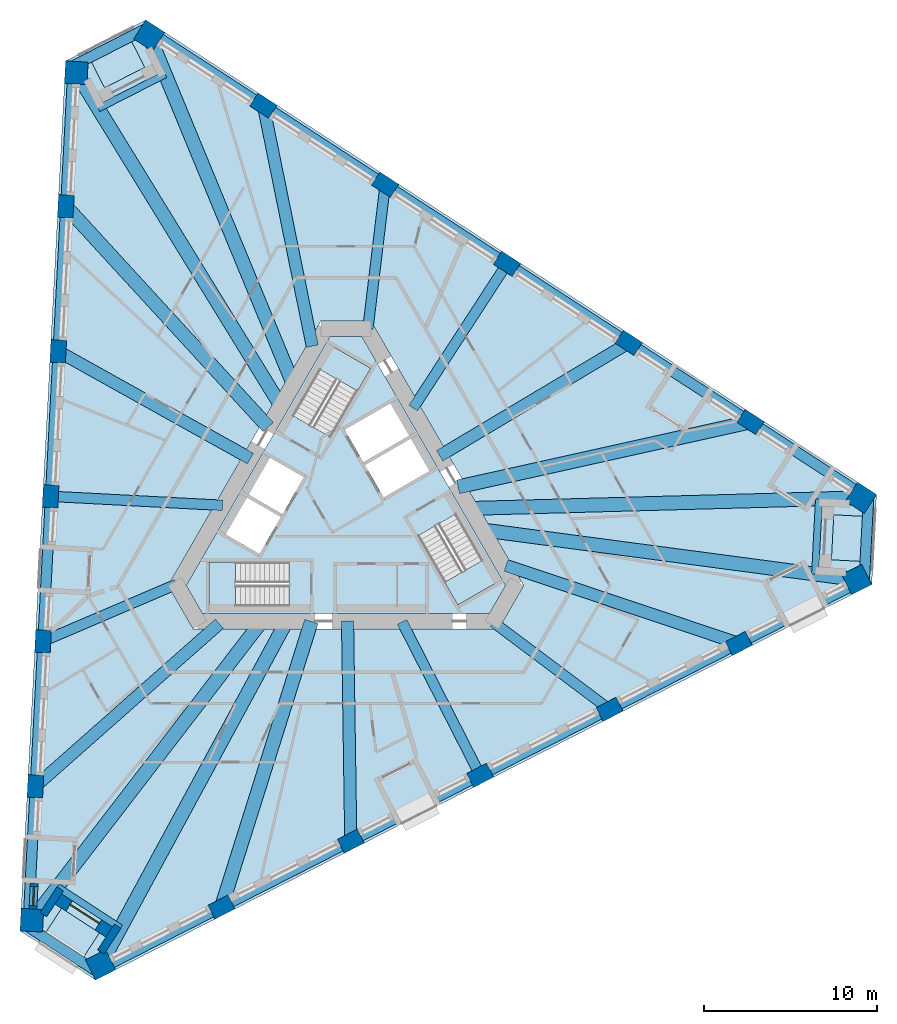
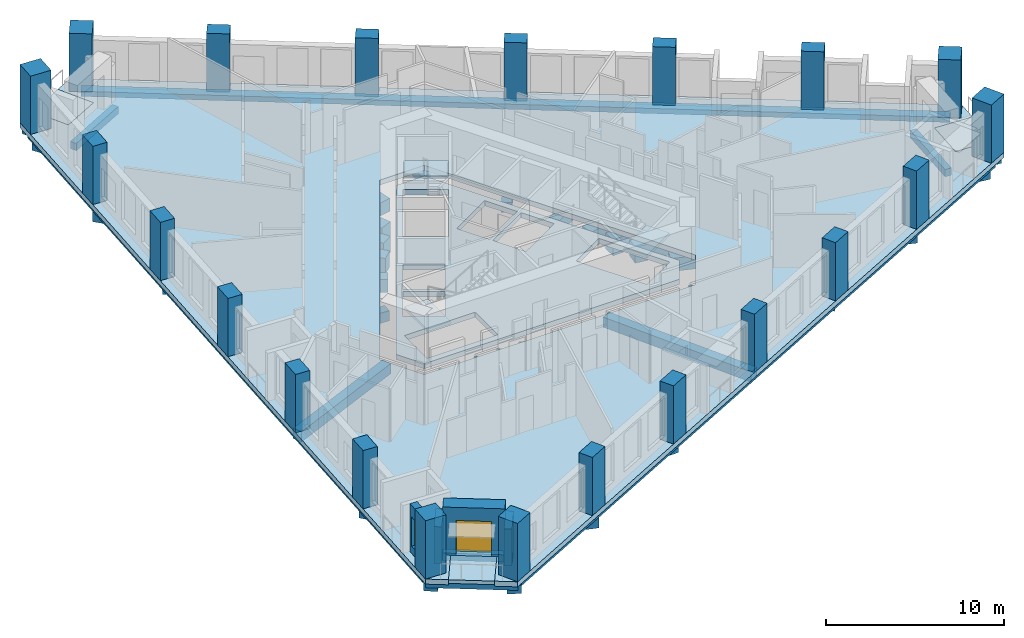
# One storey, part 1 of 13: 30 beams, 21 columns, 8 slabs, 4 walls, 1 door, 1 window, 2 openings, 3 elements without a shape of their own.
"""IFC4 building model written with IfcOpenShell, lengths in metres."""

from ifc_helpers import new_model, si_unit, direction, frame, frame_2d, origin, origin_2d, place, context, subcontext, project, spatial, polyline, rectangle, outline, extrude, material, layer, layer_set, material_profile, profile_set, type_object, element, fill, aggregate, save


model = new_model("IFC4")

# Units and contexts
model_context = context("Model", 3, precision=1e-05, world=origin(), true_north=direction((0.0, 1.0)))
body_context = subcontext(model_context, "Body", "Model", "MODEL_VIEW")
ifc_project = project(units=[si_unit("LENGTHUNIT", "METRE"), si_unit("AREAUNIT", "SQUARE_METRE"), si_unit("VOLUMEUNIT", "CUBIC_METRE"), si_unit("PLANEANGLEUNIT", "RADIAN"), si_unit("MASSUNIT", "GRAM", prefix="KILO")], contexts=[model_context])

# Site, building, storey
site_placement = place(None, origin())
site = spatial("IfcSite", under=ifc_project, at=site_placement, CompositionType="ELEMENT")
building_placement = place(site_placement, origin())
building = spatial("IfcBuilding", under=site, at=building_placement, Name="Tramontana Tower", CompositionType="ELEMENT")
storey_placement = place(building_placement, frame((0.0, 0.0, 137.60009765625)))
storey = spatial("IfcBuildingStorey", under=building, at=storey_placement, Name="L31", CompositionType="ELEMENT", Elevation=137.60009765625)

# Columns
ifc_material_1 = material(Name="Concrete 70 MPa", Category="concrete")
ifc_material_profile_1 = material_profile(ifc_material_1, rectangle(XDim=1.300048828125, YDim=1.300048828125, at=origin_2d()), Name="Mega column 1300X1300 70 MPa")
ifc_profile_set_1 = profile_set([ifc_material_profile_1], Name="Concrete 70 MPa")
column_type_1 = type_object("IfcColumnType", Name="Mega column 1300X1300 70 MPa", PredefinedType="COLUMN", material=ifc_profile_set_1)
for number, where, z_axis, x_axis, name in (
    (1, (-15.546630859375, 25.31298828125, 0.0), (0.0, 0.0, 1.0), (-0.052335956243, -0.998629534755, 0.0), "Mega column C3K1 L31"),
    (2, (-18.107177734375, -23.54931640625, 0.0), (0.0, 0.0, 1.0), (-0.052335956243, -0.998629534755, 0.0), "Mega column C3K2 L31"),
    (3, (-14.1484375, -26.1201171875, 0.0), (0.0, 0.0, 1.0), (0.891006524188, 0.45399049974, 0.0), "Mega column C3K3 L31"),
    (4, (29.447998046875, -3.90673828125, 0.0), (0.0, 0.0, 1.0), (0.891006524188, 0.45399049974, 0.0), "Mega column C3K4 L31"),
    (5, (29.695068359375, 0.80712890625, 0.0), (0.0, 0.0, 1.0), (-0.838670567945, 0.544639035015, 0.0), "Mega column C3K5 L31"),
    (6, (-11.340576171875, 27.4560546875, 0.0), (0.0, 0.0, 1.0), (-0.838670567945, 0.544639035015, 0.0), "Mega column C3K6 L31"),
):
    element("IfcColumn", number, at=place(storey_placement, frame(where, z_axis=z_axis, x_axis=x_axis)), inside=storey, type_object=column_type_1, Name=name, PredefinedType="COLUMN", context=body_context, shape_type="SweptSolid", body=[
        extrude(rectangle(XDim=1.300048828125, YDim=1.300048828125, at=origin_2d()), origin(), (0.0, 0.0, 1.0), 4.0),
    ])
ifc_material_2 = material(Name="Concrete 55 MPa", Category="concrete")
ifc_material_profile_2 = material_profile(ifc_material_2, rectangle(XDim=1.300048828125, YDim=0.89990234375, at=origin_2d()), Name="Pier column 1300X900 55 MPa")
ifc_profile_set_2 = profile_set([ifc_material_profile_2], Name="Concrete 55 MPa")
column_type_2 = type_object("IfcColumnType", Name="Pier column 1300X900 55 MPa", PredefinedType="COLUMN", material=ifc_profile_set_2)
for number, where, z_axis, x_axis, name in (
    (7, (-16.150390625, 17.612548828125, 0.0), (0.0, 0.0, 1.0), (-0.052335956243, -0.998629534755, 0.0), "Pier column C3F01 L31"),
    (8, (-16.58837890625, 9.25244140625, 0.0), (0.0, 0.0, 1.0), (-0.052335956243, -0.998629534755, 0.0), "Pier column C3F02 L31"),
    (9, (-17.026611328125, 0.892333984375, 0.0), (0.0, 0.0, 1.0), (-0.052335956243, -0.998629534755, 0.0), "Pier column C3F03 L31"),
    (10, (-17.46484375, -7.4677734375, 0.0), (0.0, 0.0, 1.0), (-0.052335956243, -0.998629534755, 0.0), "Pier column C3F04 L31"),
    (11, (-17.90283203125, -15.827880859375, 0.0), (0.0, 0.0, 1.0), (-0.052335956243, -0.998629534755, 0.0), "Pier column C3F05 L31"),
    (12, (-7.177734375, -22.79296875, 0.0), (0.0, 0.0, 1.0), (0.891006524188, 0.45399049974, 0.0), "Pier column C3F06 L31"),
    (13, (0.281494140625, -18.9921875, 0.0), (0.0, 0.0, 1.0), (0.891006524188, 0.45399049974, 0.0), "Pier column C3F07 L31"),
    (14, (7.740478515625, -15.191650390625, 0.0), (0.0, 0.0, 1.0), (0.891006524188, 0.45399049974, 0.0), "Pier column C3F08 L31"),
    (15, (15.19970703125, -11.39111328125, 0.0), (0.0, 0.0, 1.0), (0.891006524188, 0.45399049974, 0.0), "Pier column C3F09 L31"),
    (16, (22.65869140625, -7.59033203125, 0.0), (0.0, 0.0, 1.0), (0.891006524188, 0.45399049974, 0.0), "Pier column C3F10 L31"),
    (17, (23.328125, 5.180419921875, 0.0), (0.0, 0.0, 1.0), (-0.838670567945, 0.544639035015, 0.0), "Pier column C3F11 L31"),
    (18, (16.30712890625, 9.73974609375, 0.0), (0.0, 0.0, 1.0), (-0.838670567945, 0.544639035015, 0.0), "Pier column C3F12 L31"),
    (19, (9.2861328125, 14.29931640625, 0.0), (0.0, 0.0, 1.0), (-0.838670567945, 0.544639035015, 0.0), "Pier column C3F13 L31"),
    (20, (2.26513671875, 18.85888671875, 0.0), (0.0, 0.0, 1.0), (-0.838670567945, 0.544639035015, 0.0), "Pier column C3F14 L31"),
    (21, (-4.755859375, 23.418212890625, 0.0), (0.0, 0.0, 1.0), (-0.838670567945, 0.544639035015, 0.0), "Pier column C3F15 L31"),
):
    element("IfcColumn", number, at=place(storey_placement, frame(where, z_axis=z_axis, x_axis=x_axis)), inside=storey, type_object=column_type_2, Name=name, PredefinedType="COLUMN", context=body_context, shape_type="SweptSolid", body=[
        extrude(rectangle(XDim=1.300048828125, YDim=0.89990234375, at=origin_2d()), origin(), (0.0, 0.0, 1.0), 4.0),
    ])

# Beams
ifc_material_3 = material(Name="Concrete 40 MPa", Category="concrete")
ifc_material_profile_3 = material_profile(ifc_material_3, rectangle(XDim=0.60009765625, YDim=0.35009765625, at=origin_2d()), Name="RC EDGE BEAM 600X350 40 MPa")
ifc_profile_set_3 = profile_set([ifc_material_profile_3], Name="Concrete 40 MPa")
beam_type_1 = type_object("IfcBeamType", Name="RC EDGE BEAM 600X350 40 MPa", PredefinedType="SPANDREL", material=ifc_profile_set_3)
for number, where, z_axis, x_axis, name in (
    (22, (-15.74609375, 25.323486328125, -0.525146484375), (-0.052336488944, -0.998629506837, 0.0), (0.998629506837, -0.052336488944, 0.0), "Spandrel beam S0 L31"),
    (23, (-14.0576171875, -26.29833984375, -0.525146484375), (0.89100747088, 0.453988641748, 0.0), (-0.453988641748, 0.89100747088, 0.0), "Spandrel beam S1 L31"),
    (24, (29.803955078125, 0.974853515625, -0.525146484375), (-0.838669945923, 0.544639992844, 0.0), (-0.544639992844, -0.838669945923, 0.0), "Spandrel beam S2 L31"),
):
    element("IfcBeam", number, at=place(storey_placement, frame(where, z_axis=z_axis, x_axis=x_axis)), inside=storey, type_object=beam_type_1, Name=name, PredefinedType="SPANDREL", context=body_context, shape_type="SweptSolid", body=[
        extrude(rectangle(XDim=0.60009765625, YDim=0.35009765625, at=origin_2d()), origin(), (0.0, 0.0, 1.0), 48.929443359375),
    ])
for number, where, z_axis, x_axis, name in (
    (25, (-11.327392578125, 27.9541015625, -0.525146484375), (-0.891018699398, -0.453966603753, 0.0), (0.453966603753, -0.891018699398, 0.0), "Spandrel beam K0 L31"),
    (26, (-18.54541015625, -23.787109375, -0.525146484375), (0.838668969916, -0.544641495757, 0.0), (0.544641495757, 0.838668969916, 0.0), "Spandrel beam K1 L31"),
):
    element("IfcBeam", number, at=place(storey_placement, frame(where, z_axis=z_axis, x_axis=x_axis)), inside=storey, type_object=beam_type_1, Name=name, PredefinedType="SPANDREL", context=body_context, shape_type="SweptSolid", body=[
        extrude(rectangle(XDim=0.60009765625, YDim=0.35009765625, at=origin_2d()), origin(), (0.0, 0.0, 1.0), 5.1962890625),
    ])
beam_1_placement = place(storey_placement, frame((29.872802734375, -4.167236328125, -0.525146484375), z_axis=(0.052341816109, 0.998629227635, 0.0), x_axis=(-0.998629227635, 0.052341816109, 0.0)))
element("IfcBeam", 27, at=beam_1_placement, inside=storey, type_object=beam_type_1, Name="Spandrel beam K2 L31", PredefinedType="SPANDREL", context=body_context, shape_type="SweptSolid", body=[
    extrude(rectangle(XDim=0.60009765625, YDim=0.35009765625, at=origin_2d()), origin(), (0.0, 0.0, 1.0), 5.196044921875),
])
ifc_material_4 = material(Name="Concrete 40 MPa", Category="concrete")
ifc_material_profile_4 = material_profile(ifc_material_4, rectangle(XDim=0.60009765625, YDim=0.699951171875, at=origin_2d()), Name="RC GIRDER 600X700 40 MPa")
ifc_profile_set_4 = profile_set([ifc_material_profile_4], Name="Concrete 40 MPa")
beam_type_2 = type_object("IfcBeamType", Name="RC GIRDER 600X700 40 MPa", PredefinedType="BEAM", material=ifc_profile_set_4)
beam_2_placement = place(storey_placement, frame((-17.026611328125, 0.892333984375, -0.7001953125), z_axis=(0.998628816447, -0.052349660575, 0.0), x_axis=(0.052349660575, 0.998628816447, 0.0)))
element("IfcBeam", 28, at=beam_2_placement, inside=storey, type_object=beam_type_2, Name="Radial girder C3F03 L31", PredefinedType="BEAM", context=body_context, shape_type="SweptSolid", body=[
    extrude(rectangle(XDim=0.60009765625, YDim=0.699951171875, at=origin_2d()), origin(), (0.0, 0.0, 1.0), 9.92431640625),
])
beam_3_placement = place(storey_placement, frame((-17.46484375, -7.4677734375, -0.7001953125), z_axis=(0.919473795441, 0.393151293394, 0.0), x_axis=(-0.393151293394, 0.919473795441, 0.0)))
element("IfcBeam", 29, at=beam_3_placement, inside=storey, type_object=beam_type_2, Name="Radial girder C3F04 L31", PredefinedType="BEAM", context=body_context, shape_type="SweptSolid", body=[
    extrude(rectangle(XDim=0.60009765625, YDim=0.699951171875, at=origin_2d()), origin(), (0.0, 0.0, 1.0), 8.365234375),
])
beam_4_placement = place(storey_placement, frame((7.740478515625, -15.191650390625, -0.7001953125), z_axis=(-0.453980690523, 0.891011522166, 0.0), x_axis=(-0.891011522166, -0.453980690523, 0.0)))
element("IfcBeam", 30, at=beam_4_placement, inside=storey, type_object=beam_type_2, Name="Radial girder C3F08 L31", PredefinedType="BEAM", context=body_context, shape_type="SweptSolid", body=[
    extrude(rectangle(XDim=0.60009765625, YDim=0.699951171875, at=origin_2d()), origin(), (0.0, 0.0, 1.0), 9.924072265625),
])
beam_5_placement = place(storey_placement, frame((15.19970703125, -11.39111328125, -0.7001953125), z_axis=(-0.800213580839, 0.599715119904, 0.0), x_axis=(-0.599715119904, -0.800213580839, 0.0)))
element("IfcBeam", 31, at=beam_5_placement, inside=storey, type_object=beam_type_2, Name="Radial girder C3F09 L31", PredefinedType="BEAM", context=body_context, shape_type="SweptSolid", body=[
    extrude(rectangle(XDim=0.60009765625, YDim=0.699951171875, at=origin_2d()), origin(), (0.0, 0.0, 1.0), 8.365478515625),
])
beam_6_placement = place(storey_placement, frame((9.2861328125, 14.29931640625, -0.7001953125), z_axis=(-0.54464589271, -0.838666114466, 0.0), x_axis=(0.838666114466, -0.54464589271, 0.0)))
element("IfcBeam", 32, at=beam_6_placement, inside=storey, type_object=beam_type_2, Name="Radial girder C3F13 L31", PredefinedType="BEAM", context=body_context, shape_type="SweptSolid", body=[
    extrude(rectangle(XDim=0.60009765625, YDim=0.699951171875, at=origin_2d()), origin(), (0.0, 0.0, 1.0), 9.92431640625),
])
beam_7_placement = place(storey_placement, frame((2.26513671875, 18.85888671875, -0.7001953125), z_axis=(-0.119248793527, -0.992864404258, 0.0), x_axis=(0.992864404258, -0.119248793527, 0.0)))
element("IfcBeam", 33, at=beam_7_placement, inside=storey, type_object=beam_type_2, Name="Radial girder C3F14 L31", PredefinedType="BEAM", context=body_context, shape_type="SweptSolid", body=[
    extrude(rectangle(XDim=0.60009765625, YDim=0.699951171875, at=origin_2d()), origin(), (0.0, 0.0, 1.0), 8.365234375),
])
ifc_material_5 = material(Name="Concrete 40 MPa", Category="concrete")
ifc_material_profile_5 = material_profile(ifc_material_5, rectangle(XDim=0.699951171875, YDim=0.89990234375, at=origin_2d()), Name="RC GIRDER 700X900 40 MPa")
ifc_profile_set_5 = profile_set([ifc_material_profile_5], Name="Concrete 40 MPa")
beam_type_3 = type_object("IfcBeamType", Name="RC GIRDER 700X900 40 MPa", PredefinedType="BEAM", material=ifc_profile_set_5)
beam_8_placement = place(storey_placement, frame((-16.58837890625, 9.25244140625, -0.800048828125), z_axis=(0.873332247198, -0.487125020917, 0.0), x_axis=(0.487125020917, 0.873332247198, 0.0)))
element("IfcBeam", 34, at=beam_8_placement, inside=storey, type_object=beam_type_3, Name="Radial girder C3F02 L31", PredefinedType="BEAM", context=body_context, shape_type="SweptSolid", body=[
    extrude(rectangle(XDim=0.699951171875, YDim=0.89990234375, at=origin_2d()), origin(), (0.0, 0.0, 1.0), 12.693603515625),
])
beam_9_placement = place(storey_placement, frame((-17.90283203125, -15.827880859375, -0.800048828125), z_axis=(0.74918417634, 0.662361736456, 0.0), x_axis=(-0.662361736456, 0.74918417634, 0.0)))
element("IfcBeam", 35, at=beam_9_placement, inside=storey, type_object=beam_type_3, Name="Radial girder C3F05 L31", PredefinedType="BEAM", context=body_context, shape_type="SweptSolid", body=[
    extrude(rectangle(XDim=0.699951171875, YDim=0.89990234375, at=origin_2d()), origin(), (0.0, 0.0, 1.0), 14.1552734375),
])
beam_10_placement = place(storey_placement, frame((0.281494140625, -18.9921875, -0.800048828125), z_axis=(-0.014829000023, 0.999890044334, 0.0), x_axis=(-0.999890044334, -0.014829000023, 0.0)))
element("IfcBeam", 36, at=beam_10_placement, inside=storey, type_object=beam_type_3, Name="Radial girder C3F07 L31", PredefinedType="BEAM", context=body_context, shape_type="SweptSolid", body=[
    extrude(rectangle(XDim=0.699951171875, YDim=0.89990234375, at=origin_2d()), origin(), (0.0, 0.0, 1.0), 12.693603515625),
])
beam_11_placement = place(storey_placement, frame((22.65869140625, -7.59033203125, -0.800048828125), z_axis=(-0.948211400457, 0.317639953476, 0.0), x_axis=(-0.317639953476, -0.948211400457, 0.0)))
element("IfcBeam", 37, at=beam_11_placement, inside=storey, type_object=beam_type_3, Name="Radial girder C3F10 L31", PredefinedType="BEAM", context=body_context, shape_type="SweptSolid", body=[
    extrude(rectangle(XDim=0.699951171875, YDim=0.89990234375, at=origin_2d()), origin(), (0.0, 0.0, 1.0), 14.155517578125),
])
beam_12_placement = place(storey_placement, frame((16.30712890625, 9.73974609375, -0.800048828125), z_axis=(-0.858533155932, -0.512758052268, 0.0), x_axis=(0.512758052268, -0.858533155932, 0.0)))
element("IfcBeam", 38, at=beam_12_placement, inside=storey, type_object=beam_type_3, Name="Radial girder C3F12 L31", PredefinedType="BEAM", context=body_context, shape_type="SweptSolid", body=[
    extrude(rectangle(XDim=0.699951171875, YDim=0.89990234375, at=origin_2d()), origin(), (0.0, 0.0, 1.0), 12.693603515625),
])
beam_13_placement = place(storey_placement, frame((-4.755859375, 23.418212890625, -0.800048828125), z_axis=(0.199014115168, -0.979996623445, 0.0), x_axis=(0.979996623445, 0.199014115168, 0.0)))
element("IfcBeam", 39, at=beam_13_placement, inside=storey, type_object=beam_type_3, Name="Radial girder C3F15 L31", PredefinedType="BEAM", context=body_context, shape_type="SweptSolid", body=[
    extrude(rectangle(XDim=0.699951171875, YDim=0.89990234375, at=origin_2d()), origin(), (0.0, 0.0, 1.0), 14.155517578125),
])
ifc_material_6 = material(Name="Concrete 40 MPa", Category="concrete")
ifc_material_profile_6 = material_profile(ifc_material_6, rectangle(XDim=0.800048828125, YDim=1.10009765625, at=origin_2d()), Name="RC GIRDER 800X1100 40 MPa")
ifc_profile_set_6 = profile_set([ifc_material_profile_6], Name="Concrete 40 MPa")
beam_type_4 = type_object("IfcBeamType", Name="RC GIRDER 800X1100 40 MPa", PredefinedType="BEAM", material=ifc_profile_set_6)
beam_14_placement = place(storey_placement, frame((-15.54638671875, 25.31298828125, -0.900146484375), z_axis=(0.523345221795, -0.852120753664, 0.0), x_axis=(0.852120753664, 0.523345221795, 0.0)))
element("IfcBeam", 40, at=beam_14_placement, inside=storey, type_object=beam_type_4, Name="Radial girder C3K1 L31", PredefinedType="BEAM", context=body_context, shape_type="SweptSolid", body=[
    extrude(rectangle(XDim=0.800048828125, YDim=1.10009765625, at=origin_2d()), origin(), (0.0, 0.0, 1.0), 22.479248046875),
])
beam_15_placement = place(storey_placement, frame((-16.150390625, 17.612548828125, -0.900146484375), z_axis=(0.675852012308, -0.737037351469, 0.0), x_axis=(0.737037351469, 0.675852012308, 0.0)))
element("IfcBeam", 41, at=beam_15_placement, inside=storey, type_object=beam_type_4, Name="Radial girder C3F01 L31", PredefinedType="BEAM", context=body_context, shape_type="SweptSolid", body=[
    extrude(rectangle(XDim=0.800048828125, YDim=1.10009765625, at=origin_2d()), origin(), (0.0, 0.0, 1.0), 17.26953125),
])
beam_16_placement = place(storey_placement, frame((-18.107421875, -23.54931640625, -0.900146484375), z_axis=(0.609557551485, 0.792741818896, 0.0), x_axis=(-0.792741818896, 0.609557551485, 0.0)))
element("IfcBeam", 42, at=beam_16_placement, inside=storey, type_object=beam_type_4, Name="Radial girder C3K2 L31", PredefinedType="BEAM", context=body_context, shape_type="SweptSolid", body=[
    extrude(rectangle(XDim=0.800048828125, YDim=1.10009765625, at=origin_2d()), origin(), (0.0, 0.0, 1.0), 21.641357421875),
])
beam_17_placement = place(storey_placement, frame((-14.1484375, -26.1201171875, -0.900146484375), z_axis=(0.476284198163, 0.879291397991, 0.0), x_axis=(-0.879291397991, 0.476284198163, 0.0)))
element("IfcBeam", 43, at=beam_17_placement, inside=storey, type_object=beam_type_4, Name="Radial girder C3K3 L31", PredefinedType="BEAM", context=body_context, shape_type="SweptSolid", body=[
    extrude(rectangle(XDim=0.800048828125, YDim=1.10009765625, at=origin_2d()), origin(), (0.0, 0.0, 1.0), 22.479248046875),
])
beam_18_placement = place(storey_placement, frame((-7.177734375, -22.79296875, -0.900146484375), z_axis=(0.300368764095, 0.953823152139, 0.0), x_axis=(-0.953823152139, 0.300368764095, 0.0)))
element("IfcBeam", 44, at=beam_18_placement, inside=storey, type_object=beam_type_4, Name="Radial girder C3F06 L31", PredefinedType="BEAM", context=body_context, shape_type="SweptSolid", body=[
    extrude(rectangle(XDim=0.800048828125, YDim=1.10009765625, at=origin_2d()), origin(), (0.0, 0.0, 1.0), 17.26953125),
])
beam_19_placement = place(storey_placement, frame((29.447998046875, -3.90673828125, -0.900146484375), z_axis=(-0.991313997986, 0.131516376914, 0.0), x_axis=(-0.131516376914, -0.991313997986, 0.0)))
element("IfcBeam", 45, at=beam_19_placement, inside=storey, type_object=beam_type_4, Name="Radial girder C3K4 L31", PredefinedType="BEAM", context=body_context, shape_type="SweptSolid", body=[
    extrude(rectangle(XDim=0.800048828125, YDim=1.10009765625, at=origin_2d()), origin(), (0.0, 0.0, 1.0), 21.641357421875),
])
beam_20_placement = place(storey_placement, frame((29.695068359375, 0.80712890625, -0.900146484375), z_axis=(-0.999630732276, -0.027173499768, 0.0), x_axis=(0.027173499768, -0.999630732276, 0.0)))
element("IfcBeam", 46, at=beam_20_placement, inside=storey, type_object=beam_type_4, Name="Radial girder C3K5 L31", PredefinedType="BEAM", context=body_context, shape_type="SweptSolid", body=[
    extrude(rectangle(XDim=0.800048828125, YDim=1.10009765625, at=origin_2d()), origin(), (0.0, 0.0, 1.0), 22.479248046875),
])
beam_21_placement = place(storey_placement, frame((23.328125, 5.180419921875, -0.900146484375), z_axis=(-0.976217985391, -0.216791247516, 0.0), x_axis=(0.216791247516, -0.976217985391, 0.0)))
element("IfcBeam", 47, at=beam_21_placement, inside=storey, type_object=beam_type_4, Name="Radial girder C3F11 L31", PredefinedType="BEAM", context=body_context, shape_type="SweptSolid", body=[
    extrude(rectangle(XDim=0.800048828125, YDim=1.10009765625, at=origin_2d()), origin(), (0.0, 0.0, 1.0), 17.26953125),
])
beam_22_placement = place(storey_placement, frame((-11.3408203125, 27.4560546875, -0.900146484375), z_axis=(0.381767486968, -0.924258397795, 0.0), x_axis=(0.924258397795, 0.381767486968, 0.0)))
element("IfcBeam", 48, at=beam_22_placement, inside=storey, type_object=beam_type_4, Name="Radial girder C3K6 L31", PredefinedType="BEAM", context=body_context, shape_type="SweptSolid", body=[
    extrude(rectangle(XDim=0.800048828125, YDim=1.10009765625, at=origin_2d()), origin(), (0.0, 0.0, 1.0), 21.641357421875),
])
ifc_material_7 = material(Name="Concrete 40 MPa", Category="concrete")
ifc_material_profile_7 = material_profile(ifc_material_7, rectangle(XDim=0.39990234375, YDim=0.5, at=origin_2d()), Name="RC TRIM BEAM 400X500 40 MPa")
ifc_profile_set_7 = profile_set([ifc_material_profile_7], Name="Concrete 40 MPa")
beam_type_5 = type_object("IfcBeamType", Name="RC TRIM BEAM 400X500 40 MPa", PredefinedType="JOIST", material=ifc_profile_set_7)
for number, where, z_axis, x_axis, name in (
    (49, (-10.4169921875, 25.219482421875, -0.60009765625), (-0.891023167183, -0.453957834544, 0.0), (0.453957834544, -0.891023167183, 0.0), "Trimmer beam K0 L31"),
    (50, (-16.63232421875, -21.631103515625, -0.60009765625), (0.838651964019, -0.544667681479, 0.0), (0.544667681479, 0.838651964019, 0.0), "Trimmer beam K1 L31"),
    (51, (27.04931640625, -3.58837890625, -0.60009765625), (0.052310576439, 0.99863086453, 0.0), (-0.99863086453, 0.052310576439, 0.0), "Trimmer beam K2 L31"),
):
    element("IfcBeam", number, at=place(storey_placement, frame(where, z_axis=z_axis, x_axis=x_axis)), inside=storey, type_object=beam_type_5, Name=name, PredefinedType="JOIST", context=body_context, shape_type="SweptSolid", body=[
        extrude(rectangle(XDim=0.39990234375, YDim=0.5, at=origin_2d()), origin(), (0.0, 0.0, 1.0), 4.335693359375),
    ])

# Slabs
ifc_material_8 = material(Name="Precast concrete 50 MPa", Category="concrete")
ifc_layer_1 = layer(ifc_material_8, 0.25)
ifc_layer_set_1 = layer_set([ifc_layer_1], Name="LT1 Loggia floor tray 250")
slab_type_1 = type_object("IfcSlabType", Name="LT1 Loggia floor tray 250", PredefinedType="FLOOR", material=ifc_layer_set_1)
slab_1_placement = place(storey_placement, frame((0.0, 0.0, -0.25)))
element("IfcSlab", 52, at=slab_1_placement, inside=storey, type_object=slab_type_1, Name="Corner loggia floor L31 K30", PredefinedType="FLOOR", context=body_context, shape_type="SweptSolid", body=[
    extrude(outline(polyline([(-12.6884765625, 27.765869140625), (-11.598876953125, 25.62744140625), (-13.91552734375, 24.447021484375), (-15.005126953125, 26.58544921875), (-12.6884765625, 27.765869140625)])), origin(), (0.0, 0.0, 1.0), 0.25),
])
slab_2_placement = place(storey_placement, frame((0.0, 0.0, -0.25)))
element("IfcSlab", 53, at=slab_2_placement, inside=storey, type_object=slab_type_1, Name="Corner loggia floor L31 K31", PredefinedType="FLOOR", context=body_context, shape_type="SweptSolid", body=[
    extrude(outline(polyline([(-17.70166015625, -24.871337890625), (-16.39453125, -22.858642578125), (-14.214111328125, -24.274658203125), (-15.521240234375, -26.28759765625), (-17.70166015625, -24.871337890625)])), origin(), (0.0, 0.0, 1.0), 0.25),
])
slab_3_placement = place(storey_placement, frame((0.0, 0.0, -0.25)))
element("IfcSlab", 54, at=slab_3_placement, inside=storey, type_object=slab_type_1, Name="Corner loggia floor L31 K32", PredefinedType="FLOOR", context=body_context, shape_type="SweptSolid", body=[
    extrude(outline(polyline([(30.39013671875, -2.89453125), (27.993408203125, -2.768798828125), (28.129638671875, -0.17236328125), (30.526123046875, -0.298095703125), (30.39013671875, -2.89453125)])), origin(), (0.0, 0.0, 1.0), 0.25),
])
ifc_material_9 = material(Name="Concrete 40 MPa", Category="concrete")
ifc_layer_2 = layer(ifc_material_9, 0.35009765625)
ifc_layer_set_2 = layer_set([ifc_layer_2], Name="PT FLAT SLAB 350 40 MPa")
slab_type_2 = type_object("IfcSlabType", Name="PT FLAT SLAB 350 40 MPa", PredefinedType="FLOOR", material=ifc_layer_set_2)
slab_4_placement = place(storey_placement, frame((0.0, 0.0, -0.35009765625)))
element("IfcSlab", 55, at=slab_4_placement, inside=storey, type_object=slab_type_2, Name="Floor slab L31", PredefinedType="FLOOR", context=body_context, shape_type="SweptSolid", body=[
    extrude(outline(polyline([(30.526123046875, -0.298095703125), (28.12939453125, -0.17236328125), (27.993408203125, -2.768798828125), (30.39013671875, -2.89453125), (30.322265625, -4.19091796875), (-14.4326171875, -26.994384765625), (-15.521240234375, -26.28759765625), (-14.214111328125, -24.274658203125), (-16.39453125, -22.858642578125), (-17.701904296875, -24.871337890625), (-18.790283203125, -24.164306640625), (-16.16162109375, 25.99609375), (-15.0048828125, 26.58544921875), (-13.915283203125, 24.447021484375), (-11.598876953125, 25.62744140625), (-12.6884765625, 27.765869140625), (-11.53173828125, 28.355224609375), (30.59423828125, 0.998291015625), (30.526123046875, -0.298095703125)]), holes=[polyline([(-10.248046875, -4.25), (-8.8046875, -6.75), (8.8046875, -6.75), (10.248046875, -4.25), (1.443359375, 11.0), (-1.443359375, 11.0), (-10.248046875, -4.25)])]), origin(), (0.0, 0.0, 1.0), 0.35009765625),
])
slab_5_placement = place(storey_placement, frame((0.0, 0.0, -0.35009765625)))
element("IfcSlab", 56, at=slab_5_placement, inside=storey, type_object=slab_type_2, Name="Core floor slab L31", PredefinedType="FLOOR", context=body_context, shape_type="SweptSolid", body=[
    extrude(outline(polyline([(9.208740234375, -4.25), (8.284912109375, -5.85009765625), (-8.284912109375, -5.85009765625), (-9.208740234375, -4.25), (-0.923828125, 10.10009765625), (0.923828125, 10.10009765625), (9.208740234375, -4.25)]), holes=[polyline([(8.659912109375, -4.099365234375), (6.35986328125, -0.115478515625), (4.151611328125, -1.390625), (6.451416015625, -5.374267578125), (8.659912109375, -4.099365234375)]), polyline([(3.829833984375, 4.2666015625), (1.101806640625, 2.69140625), (2.177001953125, 0.82958984375), (4.90478515625, 2.404541015625), (3.829833984375, 4.2666015625)]), polyline([(2.65478515625, 6.3017578125), (-0.072998046875, 4.726806640625), (1.001953125, 2.86474609375), (3.729736328125, 4.439697265625), (2.65478515625, 6.3017578125)]), polyline([(-0.77978515625, 9.54931640625), (-3.079833984375, 5.565673828125), (-0.87158203125, 4.29052734375), (1.428466796875, 8.2744140625), (-0.77978515625, 9.54931640625)]), polyline([(-5.689697265625, 1.044921875), (-3.65478515625, -0.130126953125), (-2.4296875, 1.99169921875), (-4.46484375, 3.166748046875), (-5.689697265625, 1.044921875)]), polyline([(-3.280029296875, -5.449951171875), (-3.280029296875, -2.89990234375), (-7.8798828125, -2.89990234375), (-7.8798828125, -5.449951171875), (-3.280029296875, -5.449951171875)]), polyline([(-7.014892578125, -1.25), (-4.979736328125, -2.425048828125), (-3.754638671875, -0.30322265625), (-5.789794921875, 0.87158203125), (-7.014892578125, -1.25)])]), origin(), (0.0, 0.0, 1.0), 0.35009765625),
])

# Stair, slab
ifc_material_10 = material(Name="Concrete 40 MPa", Category="concrete")
stair_type = type_object("IfcStairType", Name="EXIT STAIR 24 RISERS", PredefinedType="HALF_TURN_STAIR", material=ifc_material_10)
stair_1_placement = place(storey_placement, origin())
stair_1 = element("IfcStair", 57, at=stair_1_placement, inside=storey, type_object=stair_type, Name="L31 Exit stair ST1", PredefinedType="HALF_TURN_STAIR")
ifc_material_11 = material(Name="Concrete 40 MPa", Category="concrete")
ifc_layer_3 = layer(ifc_material_11, 0.199951171875)
ifc_layer_set_3 = layer_set([ifc_layer_3], Name="STAIR LANDING 200")
slab_type_3 = type_object("IfcSlabType", Name="STAIR LANDING 200", PredefinedType="LANDING", material=ifc_layer_set_3)
slab_6_placement = place(storey_placement, frame((0.0, 0.0, 1.7998046875)))
slab_6 = element("IfcSlab", 58, at=slab_6_placement, type_object=slab_type_3, Name="ST1 landing 1", PredefinedType="LANDING", context=body_context, shape_type="SweptSolid", body=[
    extrude(outline(polyline([(0.66845703125, 6.9580078125), (1.428466796875, 8.274169921875), (-0.77978515625, 9.54931640625), (-1.539794921875, 8.23291015625), (0.66845703125, 6.9580078125)])), origin(), (0.0, 0.0, 1.0), 0.2001953125),
])
aggregate(stair_1, [slab_6])

stair_2_placement = place(storey_placement, origin())
stair_2 = element("IfcStair", 59, at=stair_2_placement, inside=storey, type_object=stair_type, Name="L31 Exit stair ST2", PredefinedType="HALF_TURN_STAIR")
slab_7_placement = place(storey_placement, frame((0.0, 0.0, 1.7998046875)))
slab_7 = element("IfcSlab", 60, at=slab_7_placement, type_object=slab_type_3, Name="ST2 landing 1", PredefinedType="LANDING", context=body_context, shape_type="SweptSolid", body=[
    extrude(outline(polyline([(-6.360107421875, -2.89990234375), (-7.8798828125, -2.89990234375), (-7.8798828125, -5.449951171875), (-6.360107421875, -5.449951171875), (-6.360107421875, -2.89990234375)])), origin(), (0.0, 0.0, 1.0), 0.2001953125),
])
aggregate(stair_2, [slab_7])

stair_3_placement = place(storey_placement, origin())
stair_3 = element("IfcStair", 61, at=stair_3_placement, inside=storey, type_object=stair_type, Name="L31 Exit stair ST3", PredefinedType="HALF_TURN_STAIR")
slab_8_placement = place(storey_placement, frame((0.0, 0.0, 1.7998046875)))
slab_8 = element("IfcSlab", 62, at=slab_8_placement, type_object=slab_type_3, Name="ST3 landing 1", PredefinedType="LANDING", context=body_context, shape_type="SweptSolid", body=[
    extrude(outline(polyline([(5.69140625, -4.057861328125), (6.451416015625, -5.374267578125), (8.659912109375, -4.099365234375), (7.89990234375, -2.782958984375), (5.69140625, -4.057861328125)])), origin(), (0.0, 0.0, 1.0), 0.2001953125),
])
aggregate(stair_3, [slab_8])

# Wall, opening, window
ifc_material_12 = material(Name="Precast concrete 60 MPa", Category="concrete")
ifc_layer_4 = layer(ifc_material_12, 0.449951171875)
ifc_layer_set_4 = layer_set([ifc_layer_4], Name="Precast concrete 60 MPa, 450 mm")
wall_type_1 = type_object("IfcWallType", Name="EW1 Stone-faced precast wall 450", PredefinedType="SOLIDWALL", material=ifc_layer_set_4)
wall_1_placement = place(storey_placement, frame((-17.97021484375, -21.4130859375, 0.0), z_axis=(0.0, 0.0, 1.0), x_axis=(-0.052412688754, -0.998625510418, 0.0)))
wall_1 = element("IfcWall", 63, at=wall_1_placement, inside=storey, type_object=wall_type_1, Name="External wall L31 face 0 bay 6", PredefinedType="SOLIDWALL", context=body_context, shape_type="SweptSolid", body=[
    extrude(rectangle(XDim=1.490478515625, YDim=0.449951171875, at=frame_2d((0.7451171875, 0.0))), origin(), (0.0, 0.0, 1.0), 3.2998046875),
])
opening_1_placement = place(wall_1_placement, frame((0.1953125, 0.0, 0.5)))
opening_1 = element("IfcOpeningElement", 64, at=opening_1_placement, cuts=wall_1, Name="Opening N2L", PredefinedType="OPENING", context=body_context, shape_type="SweptSolid", body=[
    extrude(rectangle(XDim=1.10009765625, YDim=2.0, at=frame_2d((0.550048828125, 1.0))), frame((0.0, 0.23486328125, 0.0), z_axis=(0.0, -1.0, 0.0), x_axis=(1.0, 0.0, 0.0)), (0.0, 0.0, 1.0), 0.469970703125),
])
ifc_material_13 = material(Name="Aluminum frame, double glazing unit", Category="aluminium")
window_type = type_object("IfcWindowType", Name="N2L Window 1.1 x 2", PartitioningType="SINGLE_PANEL", PredefinedType="WINDOW", material=ifc_material_13)
window_placement = place(opening_1_placement, origin())
window = element("IfcWindow", 65, at=window_placement, inside=storey, type_object=window_type, Name="Window N2L L31 face 0 module 18", OverallHeight=2.0, OverallWidth=1.10009765625, PartitioningType="SINGLE_PANEL", PredefinedType="WINDOW", context=body_context, shape_type="SweptSolid", body=[
    extrude(rectangle(XDim=1.10009765625, YDim=2.0, at=frame_2d((0.550048828125, 1.0))), frame((0.0, 0.030029296875, 0.0), z_axis=(0.0, -1.0, 0.0), x_axis=(1.0, 0.0, 0.0)), (0.0, 0.0, 1.0), 0.06005859375),
])
fill(opening_1, window)

# Walls
for number, where, z_axis, x_axis, name in (
    (66, (-14.126708984375, -25.379638671875, 0.0), (0.0, 0.0, 1.0), (0.544621738408, 0.83868180024, 0.0), "Corner loggia side wall L31 K31l"),
    (67, (-17.439697265625, -23.228271484375, 0.0), (0.0, 0.0, 1.0), (0.544718245588, 0.838619122679, 0.0), "Corner loggia side wall L31 K31r"),
):
    element("IfcWall", number, at=place(storey_placement, frame(where, z_axis=z_axis, x_axis=x_axis)), inside=storey, type_object=wall_type_1, Name=name, PredefinedType="SOLIDWALL", context=body_context, shape_type="SweptSolid", body=[
        extrude(rectangle(XDim=1.779296875, YDim=0.449951171875, at=frame_2d((0.8896484375, 0.0))), origin(), (0.0, 0.0, 1.0), 2.5498046875),
    ])

# Wall, opening, door
ifc_material_14 = material(Name="Precast concrete 60 MPa", Category="concrete")
ifc_layer_5 = layer(ifc_material_14, 0.89990234375)
ifc_layer_set_5 = layer_set([ifc_layer_5], Name="EW2 Stone-faced corner loggia wall 900")
wall_type_2 = type_object("IfcWallType", Name="EW2 Stone-faced corner loggia wall 900", PredefinedType="SOLIDWALL", material=ifc_layer_set_5)
wall_2_placement = place(storey_placement, frame((-13.591552734375, -24.142333984375, 0.0), z_axis=(0.0, 0.0, 1.0), x_axis=(-0.838665071449, 0.544647498784, 0.0)))
wall_2 = element("IfcWall", 68, at=wall_2_placement, inside=storey, type_object=wall_type_2, Name="Corner loggia wall L31 K31", PredefinedType="SOLIDWALL", context=body_context, shape_type="SweptSolid", body=[
    extrude(rectangle(XDim=3.5, YDim=0.89990234375, at=frame_2d((1.75, 0.0))), origin(), (0.0, 0.0, 1.0), 3.2998046875),
])
opening_2_placement = place(wall_2_placement, frame((0.75, 0.0, 0.0)))
opening_2 = element("IfcOpeningElement", 69, at=opening_2_placement, cuts=wall_2, Name="Opening BD-31C", PredefinedType="OPENING", context=body_context, shape_type="SweptSolid", body=[
    extrude(rectangle(XDim=2.0, YDim=2.39990234375, at=frame_2d((1.0, 1.199951171875))), frame((0.0, 0.4599609375, 0.0), z_axis=(0.0, -1.0, 0.0), x_axis=(1.0, 0.0, 0.0)), (0.0, 0.0, 1.0), 0.919921875),
])
ifc_material_15 = material(Name="Aluminum frame, double glazing unit", Category="aluminium")
door_type = type_object("IfcDoorType", Name="BC1 Sliding door 2 x 2.4", OperationType="SLIDING_TO_LEFT", PredefinedType="DOOR", material=ifc_material_15)
door_placement = place(opening_2_placement, origin())
door = element("IfcDoor", 70, at=door_placement, inside=storey, type_object=door_type, Name="Corner loggia door L31 K31", OperationType="SLIDING_TO_LEFT", OverallHeight=2.39990234375, OverallWidth=2.0, PredefinedType="DOOR", context=body_context, shape_type="SweptSolid", body=[
    extrude(rectangle(XDim=2.0, YDim=2.39990234375, at=frame_2d((1.0, 1.199951171875))), frame((0.0, 0.02490234375, 0.0), z_axis=(0.0, -1.0, 0.0), x_axis=(1.0, 0.0, 0.0)), (0.0, 0.0, 1.0), 0.050048828125),
])
fill(opening_2, door)

save(model, "model.ifc")
